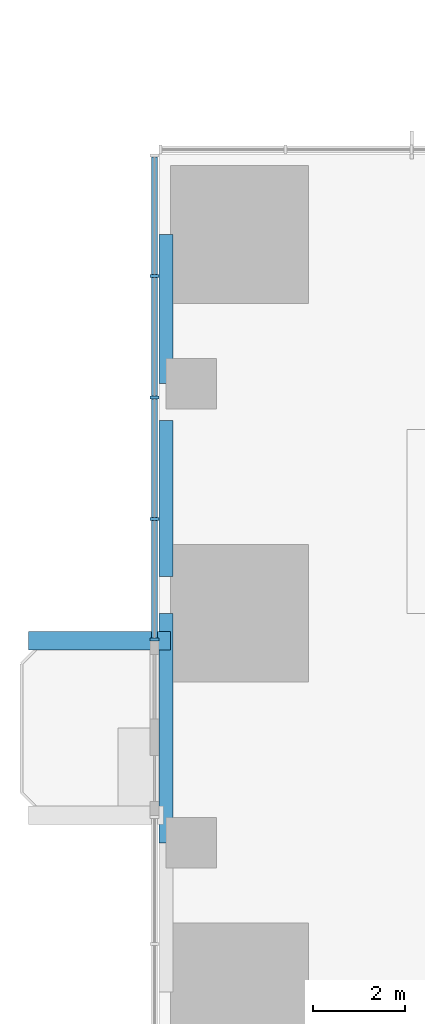
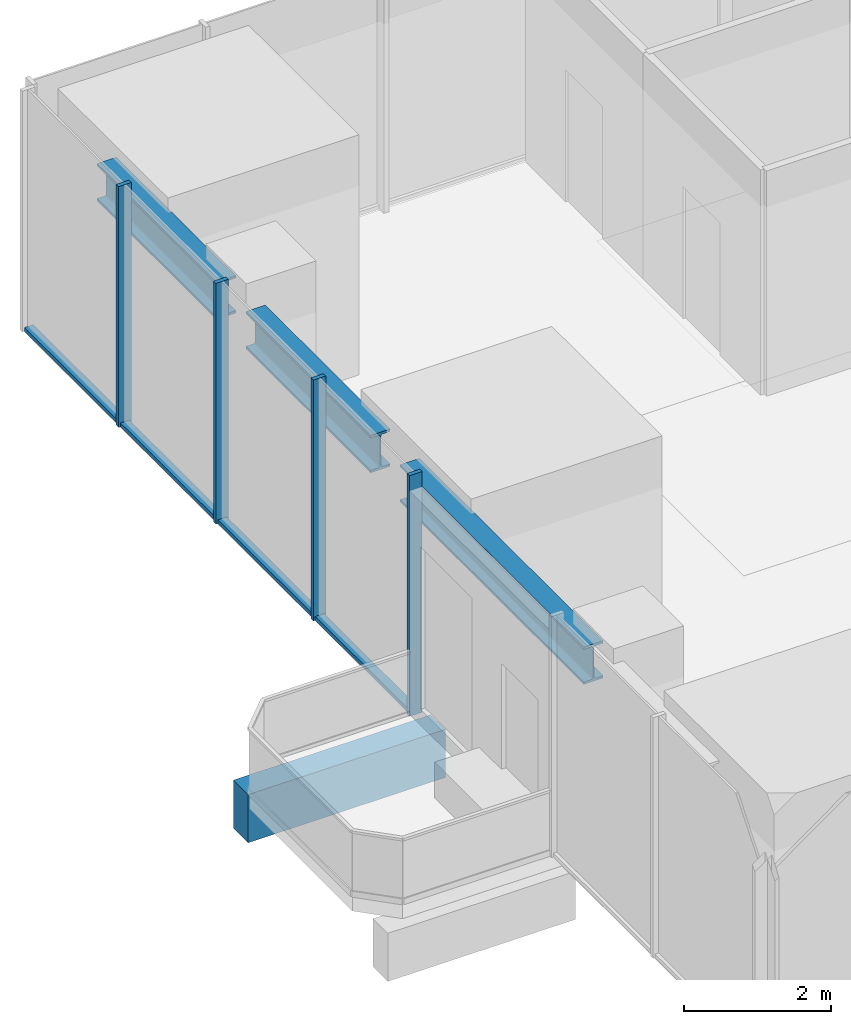
# One storey, part 3 of 13: 8 members, 4 beams, 1 element without a shape of its own.
"""IFC4 building model written with IfcOpenShell, lengths in metres."""

from ifc_helpers import new_model, si_unit, direction, frame, origin, origin_2d, place, context, subcontext, project, spatial, rectangle, i_section, extrude, material, material_profile, profile_set, type_object, element, aggregate, save


model = new_model("IFC4")

# Units and contexts
model_context = context("Model", 3, precision=1e-05, world=origin(), true_north=direction((0.0, 1.0)))
body_context = subcontext(model_context, "Body", "Model", "MODEL_VIEW")
ifc_project = project(units=[si_unit("LENGTHUNIT", "METRE"), si_unit("AREAUNIT", "SQUARE_METRE"), si_unit("VOLUMEUNIT", "CUBIC_METRE"), si_unit("PLANEANGLEUNIT", "RADIAN"), si_unit("MASSUNIT", "GRAM", prefix="KILO")], contexts=[model_context])

# Site, building, storey
site_placement = place(None, origin())
site = spatial("IfcSite", under=ifc_project, at=site_placement, CompositionType="ELEMENT")
building_placement = place(site_placement, origin())
building = spatial("IfcBuilding", under=site, at=building_placement, Name="Svetlomir Tower", CompositionType="ELEMENT")
storey_placement = place(building_placement, frame((0.0, 0.0, 128.5)))
storey = spatial("IfcBuildingStorey", under=building, at=storey_placement, Name="L30", CompositionType="ELEMENT", Elevation=128.5)

# Beam
ifc_material_1 = material(Name="Concrete C60/75", Category="concrete")
ifc_material_profile_1 = material_profile(ifc_material_1, rectangle(XDim=0.39990234375, YDim=0.800048828125, at=origin_2d()), Name="RC 400x800")
ifc_profile_set_1 = profile_set([ifc_material_profile_1], Name="Concrete C60/75")
beam_type_1 = type_object("IfcBeamType", Name="BALCONY RIB RC 400x800", PredefinedType="BEAM", material=ifc_profile_set_1)
beam_1_placement = place(storey_placement, frame((0.25, 20.39990234375, -0.64990234375), z_axis=(-1.0, 0.0, 0.0), x_axis=(0.0, -1.0, 0.0)))
element("IfcBeam", 1, at=beam_1_placement, inside=storey, type_object=beam_type_1, Name="Balcony rib W 2 L30", PredefinedType="BEAM", context=body_context, shape_type="SweptSolid", body=[
    extrude(rectangle(XDim=0.39990234375, YDim=0.800048828125, at=origin_2d()), origin(), (0.0, 0.0, 1.0), 3.10009765625),
])

# Curtain wall, members
ifc_material_2 = material(Name="Bronze anodised aluminium curtain wall", Category="aluminium")
curtain_wall_type = type_object("IfcCurtainWallType", Name="CURTAIN WALL CW1 TOWER OFFICE", PredefinedType="NOTDEFINED", material=ifc_material_2)
curtain_wall_placement = place(storey_placement, origin())
curtain_wall = element("IfcCurtainWall", 2, at=curtain_wall_placement, inside=storey, type_object=curtain_wall_type, Name="Curtain wall CW1 L30", PredefinedType="NOTDEFINED")
ifc_material_3 = material(Name="Bronze anodised aluminium", Category="aluminium")
ifc_material_profile_2 = material_profile(ifc_material_3, rectangle(XDim=0.06494140625, YDim=0.199951171875, at=origin_2d()), Name="AL 65x200")
ifc_profile_set_2 = profile_set([ifc_material_profile_2], Name="Bronze anodised aluminium 6063-T6")
member_type_1 = type_object("IfcMemberType", Name="CW1 MULLION 65x200", PredefinedType="MULLION", material=ifc_profile_set_2)
member_1_placement = place(storey_placement, frame((-0.10009765625, 28.35009765625, 0.0), z_axis=(0.0, 0.0, 1.0), x_axis=(0.0, -1.0, 0.0)))
member_1 = element("IfcMember", 3, at=member_1_placement, type_object=member_type_1, Name="CW1 mullion 2", PredefinedType="MULLION", context=body_context, shape_type="SweptSolid", body=[
    extrude(rectangle(XDim=0.06494140625, YDim=0.199951171875, at=origin_2d()), origin(), (0.0, 0.0, 1.0), 4.0),
])
member_2_placement = place(storey_placement, frame((-0.10009765625, 25.699951171875, 0.0), z_axis=(0.0, 0.0, 1.0), x_axis=(0.0, -1.0, 0.0)))
member_2 = element("IfcMember", 4, at=member_2_placement, type_object=member_type_1, Name="CW1 mullion 3", PredefinedType="MULLION", context=body_context, shape_type="SweptSolid", body=[
    extrude(rectangle(XDim=0.06494140625, YDim=0.199951171875, at=origin_2d()), origin(), (0.0, 0.0, 1.0), 4.0),
])
member_3_placement = place(storey_placement, frame((-0.10009765625, 23.050048828125, 0.0), z_axis=(0.0, 0.0, 1.0), x_axis=(0.0, -1.0, 0.0)))
member_3 = element("IfcMember", 5, at=member_3_placement, type_object=member_type_1, Name="CW1 mullion 4", PredefinedType="MULLION", context=body_context, shape_type="SweptSolid", body=[
    extrude(rectangle(XDim=0.06494140625, YDim=0.199951171875, at=origin_2d()), origin(), (0.0, 0.0, 1.0), 4.0),
])
member_4_placement = place(storey_placement, frame((-0.10009765625, 20.4326171875, 0.0), z_axis=(0.0, 0.0, 1.0), x_axis=(0.0, -1.0, 0.0)))
member_4 = element("IfcMember", 6, at=member_4_placement, type_object=member_type_1, Name="CW1 mullion 5", PredefinedType="MULLION", context=body_context, shape_type="SweptSolid", body=[
    extrude(rectangle(XDim=0.06494140625, YDim=0.199951171875, at=origin_2d()), origin(), (0.0, 0.0, 1.0), 4.0),
])
ifc_material_4 = material(Name="Bronze anodised aluminium", Category="aluminium")
ifc_material_profile_3 = material_profile(ifc_material_4, rectangle(XDim=0.139892578125, YDim=0.06494140625, at=origin_2d()), Name="AL 140x65")
ifc_profile_set_3 = profile_set([ifc_material_profile_3], Name="Bronze anodised aluminium 6063-T6")
member_type_2 = type_object("IfcMemberType", Name="CW1 TRANSOM 65x140", PredefinedType="USERDEFINED", material=ifc_profile_set_3)
member_5_placement = place(storey_placement, frame((-0.10009765625, 30.93505859375, 0.032470703125), z_axis=(0.0, -1.0, 0.0), x_axis=(1.0, 0.0, 0.0)))
member_5 = element("IfcMember", 7, at=member_5_placement, type_object=member_type_2, Name="CW1 transom 1.1", ObjectType="TRANSOM", PredefinedType="USERDEFINED", context=body_context, shape_type="SweptSolid", body=[
    extrude(rectangle(XDim=0.139892578125, YDim=0.06494140625, at=origin_2d()), origin(), (0.0, 0.0, 1.0), 2.552490234375),
])
member_6_placement = place(storey_placement, frame((-0.10009765625, 28.3173828125, 0.032470703125), z_axis=(0.0, -1.0, 0.0), x_axis=(1.0, 0.0, 0.0)))
member_6 = element("IfcMember", 8, at=member_6_placement, type_object=member_type_2, Name="CW1 transom 2.1", ObjectType="TRANSOM", PredefinedType="USERDEFINED", context=body_context, shape_type="SweptSolid", body=[
    extrude(rectangle(XDim=0.139892578125, YDim=0.06494140625, at=origin_2d()), origin(), (0.0, 0.0, 1.0), 2.5849609375),
])
member_7_placement = place(storey_placement, frame((-0.10009765625, 25.66748046875, 0.032470703125), z_axis=(0.0, -1.0, 0.0), x_axis=(1.0, 0.0, 0.0)))
member_7 = element("IfcMember", 9, at=member_7_placement, type_object=member_type_2, Name="CW1 transom 3.1", ObjectType="TRANSOM", PredefinedType="USERDEFINED", context=body_context, shape_type="SweptSolid", body=[
    extrude(rectangle(XDim=0.139892578125, YDim=0.06494140625, at=origin_2d()), origin(), (0.0, 0.0, 1.0), 2.5849609375),
])
member_8_placement = place(storey_placement, frame((-0.10009765625, 23.017578125, 0.032470703125), z_axis=(0.0, -1.0, 0.0), x_axis=(1.0, 0.0, 0.0)))
member_8 = element("IfcMember", 10, at=member_8_placement, type_object=member_type_2, Name="CW1 transom 4.1", ObjectType="TRANSOM", PredefinedType="USERDEFINED", context=body_context, shape_type="SweptSolid", body=[
    extrude(rectangle(XDim=0.139892578125, YDim=0.06494140625, at=origin_2d()), origin(), (0.0, 0.0, 1.0), 2.552490234375),
])
aggregate(curtain_wall, [member_1, member_2, member_3, member_4, member_5, member_6, member_7, member_8])

# Beams
ifc_material_5 = material(Name="Steel S355", Category="steel")
ifc_material_profile_4 = material_profile(ifc_material_5, i_section(OverallWidth=0.304931640625, OverallDepth=0.6201171875, WebThickness=0.02099609375, FlangeThickness=0.0400390625, FilletRadius=0.027099609375, at=origin_2d()), Name="HEM 600")
ifc_profile_set_4 = profile_set([ifc_material_profile_4], Name="Steel S355")
beam_type_2 = type_object("IfcBeamType", Name="EDGE BEAM HEM 600", PredefinedType="SPANDREL", material=ifc_profile_set_4)
beam_2_placement = place(storey_placement, frame((0.152587890625, 16.0, 3.43994140625), z_axis=(0.0, 1.0, 0.0), x_axis=(-1.0, 0.0, 0.0)))
element("IfcBeam", 11, at=beam_2_placement, inside=storey, type_object=beam_type_2, Name="Edge beam 0/16 to 0/21 under L31", PredefinedType="SPANDREL", context=body_context, shape_type="SweptSolid", body=[
    extrude(i_section(OverallWidth=0.304931640625, OverallDepth=0.6201171875, WebThickness=0.02099609375, FlangeThickness=0.0400390625, FilletRadius=0.027099609375, at=origin_2d()), origin(), (0.0, 0.0, 1.0), 5.0),
])
beam_3_placement = place(storey_placement, frame((0.152587890625, 21.800048828125, 3.43994140625), z_axis=(0.0, 1.0, 0.0), x_axis=(-1.0, 0.0, 0.0)))
element("IfcBeam", 12, at=beam_3_placement, inside=storey, type_object=beam_type_2, Name="Edge beam 0/21 to 0/26 under L31", PredefinedType="SPANDREL", context=body_context, shape_type="SweptSolid", body=[
    extrude(i_section(OverallWidth=0.304931640625, OverallDepth=0.6201171875, WebThickness=0.02099609375, FlangeThickness=0.0400390625, FilletRadius=0.027099609375, at=origin_2d()), origin(), (0.0, 0.0, 1.0), 3.39990234375),
])
beam_4_placement = place(storey_placement, frame((0.152587890625, 26.0, 3.43994140625), z_axis=(0.0, 1.0, 0.0), x_axis=(-1.0, 0.0, 0.0)))
element("IfcBeam", 13, at=beam_4_placement, inside=storey, type_object=beam_type_2, Name="Edge beam 0/26 to 0/31 under L31", PredefinedType="SPANDREL", context=body_context, shape_type="SweptSolid", body=[
    extrude(i_section(OverallWidth=0.304931640625, OverallDepth=0.6201171875, WebThickness=0.02099609375, FlangeThickness=0.0400390625, FilletRadius=0.027099609375, at=origin_2d()), origin(), (0.0, 0.0, 1.0), 3.25),
])

save(model, "model.ifc")
